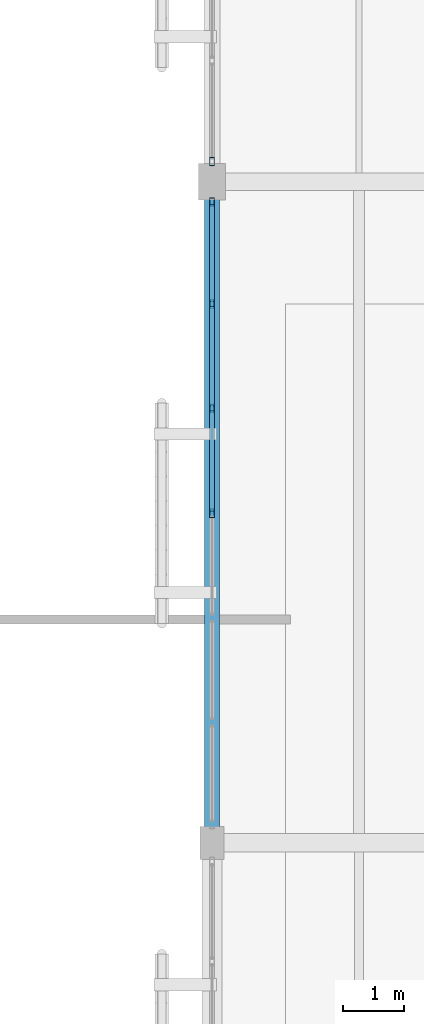
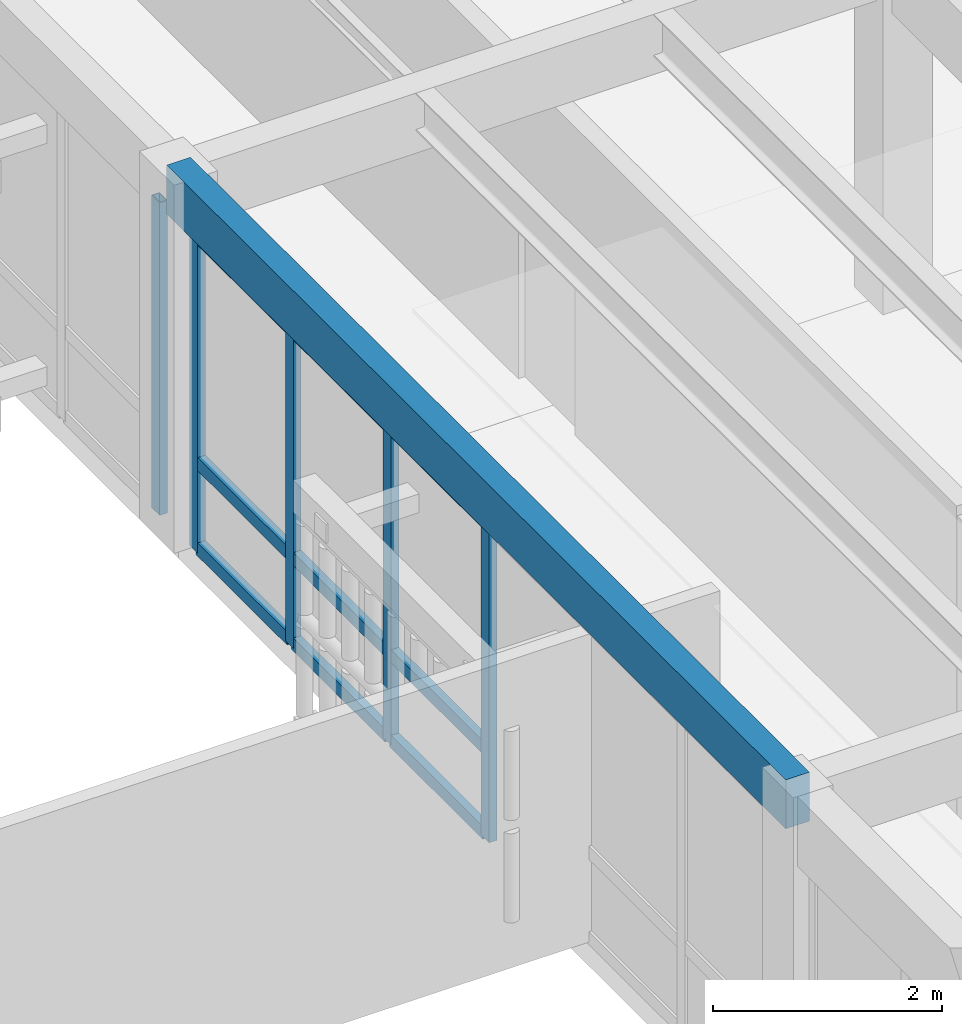
# One storey, part 29 of 112: 14 members, 1 beam, 2 elements without a shape of their own.
"""IFC4 building model written with IfcOpenShell, lengths in metres."""

from ifc_helpers import new_model, si_unit, direction, frame, origin, origin_2d, place, context, subcontext, project, spatial, rectangle, hollow_rectangle, extrude, material, layer, layer_set, material_profile, profile_set, type_object, element, aggregate, save


model = new_model("IFC4")

# Units and contexts
model_context = context("Model", 3, precision=1e-05, world=origin(), true_north=direction((0.0, 1.0)))
body_context = subcontext(model_context, "Body", "Model", "MODEL_VIEW")
ifc_project = project(units=[si_unit("LENGTHUNIT", "METRE"), si_unit("AREAUNIT", "SQUARE_METRE"), si_unit("VOLUMEUNIT", "CUBIC_METRE"), si_unit("PLANEANGLEUNIT", "RADIAN"), si_unit("MASSUNIT", "GRAM", prefix="KILO")], contexts=[model_context])

# Site, building, storey
site_placement = place(None, origin())
site = spatial("IfcSite", under=ifc_project, at=site_placement, CompositionType="ELEMENT")
building_placement = place(site_placement, origin())
building = spatial("IfcBuilding", under=site, at=building_placement, Name="Mazaris Harbour Polytechnic", CompositionType="ELEMENT")
storey_placement = place(building_placement, frame((0.0, 0.0, 13.800048828125)))
storey = spatial("IfcBuildingStorey", under=building, at=storey_placement, Name="L03", CompositionType="ELEMENT", Elevation=13.800048828125)

# Curtain wall, members
ifc_material_1 = material(Name="Anodised Bronze Aluminium and Low-E Glass", Category="aluminium")
ifc_layer = layer(ifc_material_1, 0.159912109375, Name="Anodised Bronze Aluminium and Low-E Glass")
ifc_layer_set = layer_set([ifc_layer], Name="Anodised Bronze Aluminium and Low-E Glass")
curtain_wall_type = type_object("IfcCurtainWallType", Name="Cloister Court Curtain Wall", PredefinedType="NOTDEFINED", material=ifc_layer_set)
curtain_wall_1_placement = place(storey_placement, origin())
curtain_wall_1 = element("IfcCurtainWall", 1, at=curtain_wall_1_placement, inside=storey, type_object=curtain_wall_type, Name="V4 L03 Curtain Wall 159", PredefinedType="NOTDEFINED")
ifc_material_2 = material(Name="Anodised Bronze Steel S355", Category="steel")
ifc_material_profile_1 = material_profile(ifc_material_2, hollow_rectangle(XDim=0.080078125, YDim=0.139892578125, WallThickness=0.00634765625, at=origin_2d()), Name="RHS 80x140x6.3")
ifc_profile_set_1 = profile_set([ifc_material_profile_1], Name="Anodised Bronze Steel S355")
member_type_1 = type_object("IfcMemberType", Name="Curtain Mullion RHS80x140", PredefinedType="MULLION", material=ifc_profile_set_1)
member_1_placement = place(storey_placement, frame((28.800048828125, 53.66796875, 0.0), z_axis=(0.0, 0.0, 1.0), x_axis=(1.0, 0.0, 0.0)))
member_1 = element("IfcMember", 2, at=member_1_placement, type_object=member_type_1, Name="CW-02 mullion 1", PredefinedType="MULLION", context=body_context, shape_type="SweptSolid", body=[
    extrude(hollow_rectangle(XDim=0.080078125, YDim=0.139892578125, WallThickness=0.00634765625, at=origin_2d()), origin(), (0.0, 0.0, 1.0), 3.389892578125),
])
member_2_placement = place(storey_placement, frame((28.800048828125, 52.000244140625, 0.0), z_axis=(0.0, 0.0, 1.0), x_axis=(1.0, 0.0, 0.0)))
member_2 = element("IfcMember", 3, at=member_2_placement, type_object=member_type_1, Name="CW-02 mullion 2", PredefinedType="MULLION", context=body_context, shape_type="SweptSolid", body=[
    extrude(hollow_rectangle(XDim=0.080078125, YDim=0.139892578125, WallThickness=0.00634765625, at=origin_2d()), origin(), (0.0, 0.0, 1.0), 3.389892578125),
])
member_3_placement = place(storey_placement, frame((28.800048828125, 50.292724609375, 0.0), z_axis=(0.0, 0.0, 1.0), x_axis=(1.0, 0.0, 0.0)))
member_3 = element("IfcMember", 4, at=member_3_placement, type_object=member_type_1, Name="CW-02 mullion 3", PredefinedType="MULLION", context=body_context, shape_type="SweptSolid", body=[
    extrude(hollow_rectangle(XDim=0.080078125, YDim=0.139892578125, WallThickness=0.00634765625, at=origin_2d()), origin(), (0.0, 0.0, 1.0), 3.389892578125),
])
member_4_placement = place(storey_placement, frame((28.800048828125, 48.5849609375, 0.0), z_axis=(0.0, 0.0, 1.0), x_axis=(1.0, 0.0, 0.0)))
member_4 = element("IfcMember", 5, at=member_4_placement, type_object=member_type_1, Name="CW-02 mullion 4", PredefinedType="MULLION", context=body_context, shape_type="SweptSolid", body=[
    extrude(hollow_rectangle(XDim=0.080078125, YDim=0.139892578125, WallThickness=0.00634765625, at=origin_2d()), origin(), (0.0, 0.0, 1.0), 3.389892578125),
])

# Curtain wall, member
curtain_wall_2_placement = place(storey_placement, origin())
curtain_wall_2 = element("IfcCurtainWall", 6, at=curtain_wall_2_placement, inside=storey, type_object=curtain_wall_type, Name="V4 L03 Curtain Wall 160", PredefinedType="NOTDEFINED")
member_5_placement = place(storey_placement, frame((28.800048828125, 54.33203125, 0.0), z_axis=(0.0, 0.0, 1.0), x_axis=(1.0, 0.0, 0.0)))
member_5 = element("IfcMember", 7, at=member_5_placement, type_object=member_type_1, Name="CW-02 mullion 5", PredefinedType="MULLION", context=body_context, shape_type="SweptSolid", body=[
    extrude(hollow_rectangle(XDim=0.080078125, YDim=0.139892578125, WallThickness=0.00634765625, at=origin_2d()), origin(), (0.0, 0.0, 1.0), 3.329833984375),
])
aggregate(curtain_wall_2, [member_5])

# Member
ifc_material_3 = material(Name="Anodised Bronze Steel S355", Category="steel")
ifc_material_profile_2 = material_profile(ifc_material_3, hollow_rectangle(XDim=0.080078125, YDim=0.139892578125, WallThickness=0.00634765625, at=origin_2d()), Name="RHS 80x140x6.3")
ifc_profile_set_2 = profile_set([ifc_material_profile_2], Name="Anodised Bronze Steel S355")
member_type_2 = type_object("IfcMemberType", Name="Curtain Transom RHS80x140", PredefinedType="USERDEFINED", material=ifc_profile_set_2)
member_6_placement = place(storey_placement, frame((28.800048828125, 53.6279296875, 0.0400390625), z_axis=(0.0, -1.0, 0.0), x_axis=(1.0, 0.0, 0.0)))
member_6 = element("IfcMember", 8, at=member_6_placement, type_object=member_type_2, Name="CW-02 transom 1.1", ObjectType="TRANSOM", PredefinedType="USERDEFINED", context=body_context, shape_type="SweptSolid", body=[
    extrude(hollow_rectangle(XDim=0.080078125, YDim=0.139892578125, WallThickness=0.00634765625, at=origin_2d()), origin(), (0.0, 0.0, 1.0), 1.587646484375),
])

member_7_placement = place(storey_placement, frame((28.800048828125, 53.6279296875, 0.949951171875), z_axis=(0.0, -1.0, 0.0), x_axis=(1.0, 0.0, 0.0)))
member_7 = element("IfcMember", 9, at=member_7_placement, type_object=member_type_2, Name="CW-02 transom 1.2", ObjectType="TRANSOM", PredefinedType="USERDEFINED", context=body_context, shape_type="SweptSolid", body=[
    extrude(hollow_rectangle(XDim=0.080078125, YDim=0.139892578125, WallThickness=0.00634765625, at=origin_2d()), origin(), (0.0, 0.0, 1.0), 1.587646484375),
])

member_8_placement = place(storey_placement, frame((28.800048828125, 53.6279296875, 3.349853515625), z_axis=(0.0, -1.0, 0.0), x_axis=(1.0, 0.0, 0.0)))
member_8 = element("IfcMember", 10, at=member_8_placement, type_object=member_type_2, Name="CW-02 transom 1.3", ObjectType="TRANSOM", PredefinedType="USERDEFINED", context=body_context, shape_type="SweptSolid", body=[
    extrude(hollow_rectangle(XDim=0.080078125, YDim=0.139892578125, WallThickness=0.00634765625, at=origin_2d()), origin(), (0.0, 0.0, 1.0), 1.587646484375),
])

member_9_placement = place(storey_placement, frame((28.800048828125, 51.96044921875, 0.0400390625), z_axis=(0.0, -1.0, 0.0), x_axis=(1.0, 0.0, 0.0)))
member_9 = element("IfcMember", 11, at=member_9_placement, type_object=member_type_2, Name="CW-02 transom 2.1", ObjectType="TRANSOM", PredefinedType="USERDEFINED", context=body_context, shape_type="SweptSolid", body=[
    extrude(hollow_rectangle(XDim=0.080078125, YDim=0.139892578125, WallThickness=0.00634765625, at=origin_2d()), origin(), (0.0, 0.0, 1.0), 1.627685546875),
])

member_10_placement = place(storey_placement, frame((28.800048828125, 51.96044921875, 0.949951171875), z_axis=(0.0, -1.0, 0.0), x_axis=(1.0, 0.0, 0.0)))
member_10 = element("IfcMember", 12, at=member_10_placement, type_object=member_type_2, Name="CW-02 transom 2.2", ObjectType="TRANSOM", PredefinedType="USERDEFINED", context=body_context, shape_type="SweptSolid", body=[
    extrude(hollow_rectangle(XDim=0.080078125, YDim=0.139892578125, WallThickness=0.00634765625, at=origin_2d()), origin(), (0.0, 0.0, 1.0), 1.627685546875),
])

member_11_placement = place(storey_placement, frame((28.800048828125, 51.96044921875, 3.349853515625), z_axis=(0.0, -1.0, 0.0), x_axis=(1.0, 0.0, 0.0)))
member_11 = element("IfcMember", 13, at=member_11_placement, type_object=member_type_2, Name="CW-02 transom 2.3", ObjectType="TRANSOM", PredefinedType="USERDEFINED", context=body_context, shape_type="SweptSolid", body=[
    extrude(hollow_rectangle(XDim=0.080078125, YDim=0.139892578125, WallThickness=0.00634765625, at=origin_2d()), origin(), (0.0, 0.0, 1.0), 1.627685546875),
])

member_12_placement = place(storey_placement, frame((28.800048828125, 50.252685546875, 0.0400390625), z_axis=(0.0, -1.0, 0.0), x_axis=(1.0, 0.0, 0.0)))
member_12 = element("IfcMember", 14, at=member_12_placement, type_object=member_type_2, Name="CW-02 transom 3.1", ObjectType="TRANSOM", PredefinedType="USERDEFINED", context=body_context, shape_type="SweptSolid", body=[
    extrude(hollow_rectangle(XDim=0.080078125, YDim=0.139892578125, WallThickness=0.00634765625, at=origin_2d()), origin(), (0.0, 0.0, 1.0), 1.627685546875),
])

member_13_placement = place(storey_placement, frame((28.800048828125, 50.252685546875, 0.949951171875), z_axis=(0.0, -1.0, 0.0), x_axis=(1.0, 0.0, 0.0)))
member_13 = element("IfcMember", 15, at=member_13_placement, type_object=member_type_2, Name="CW-02 transom 3.2", ObjectType="TRANSOM", PredefinedType="USERDEFINED", context=body_context, shape_type="SweptSolid", body=[
    extrude(hollow_rectangle(XDim=0.080078125, YDim=0.139892578125, WallThickness=0.00634765625, at=origin_2d()), origin(), (0.0, 0.0, 1.0), 1.627685546875),
])

member_14_placement = place(storey_placement, frame((28.800048828125, 50.252685546875, 3.349853515625), z_axis=(0.0, -1.0, 0.0), x_axis=(1.0, 0.0, 0.0)))
member_14 = element("IfcMember", 16, at=member_14_placement, type_object=member_type_2, Name="CW-02 transom 3.3", ObjectType="TRANSOM", PredefinedType="USERDEFINED", context=body_context, shape_type="SweptSolid", body=[
    extrude(hollow_rectangle(XDim=0.080078125, YDim=0.139892578125, WallThickness=0.00634765625, at=origin_2d()), origin(), (0.0, 0.0, 1.0), 1.627685546875),
])

aggregate(curtain_wall_1, [member_1, member_2, member_3, member_4, member_6, member_7, member_8, member_9, member_10, member_11, member_12, member_13, member_14])

# Beam
ifc_material_4 = material(Name="Glulam GL32h", Category="wood")
ifc_material_profile_3 = material_profile(ifc_material_4, rectangle(XDim=0.239990234375, YDim=0.52001953125, at=origin_2d()), Name="RECT240x520")
ifc_profile_set_3 = profile_set([ifc_material_profile_3], Name="Glulam GL32h")
beam_type = type_object("IfcBeamType", Name="Glulam Girder 240x520", PredefinedType="BEAM", material=ifc_profile_set_3)
beam_placement = place(storey_placement, frame((28.800048828125, 43.199951171875, 3.659912109375), z_axis=(0.0, 1.0, 0.0), x_axis=(-1.0, 0.0, 0.0)))
element("IfcBeam", 17, at=beam_placement, inside=storey, type_object=beam_type, Name="V4 L03 Tie Girder 2255", PredefinedType="BEAM", context=body_context, shape_type="SweptSolid", body=[
    extrude(rectangle(XDim=0.239990234375, YDim=0.52001953125, at=origin_2d()), origin(), (0.0, 0.0, 1.0), 10.800048828125),
])

save(model, "model.ifc")
